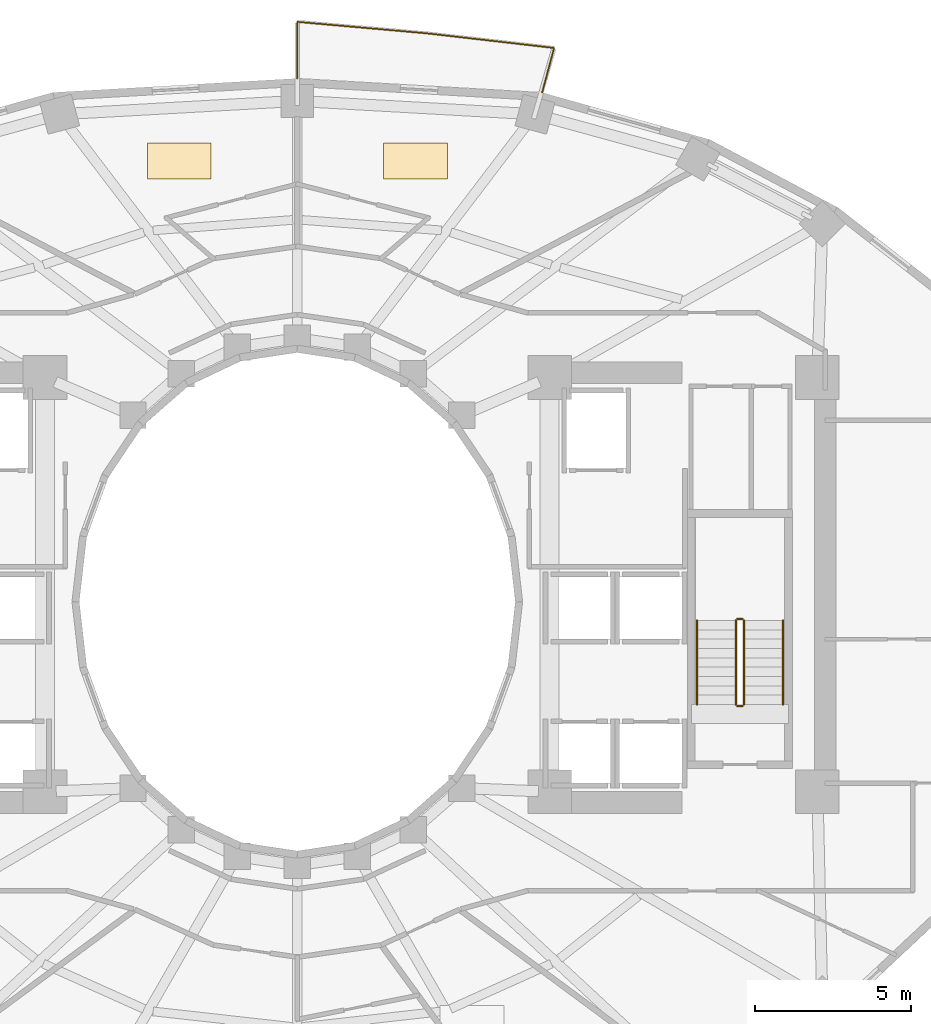
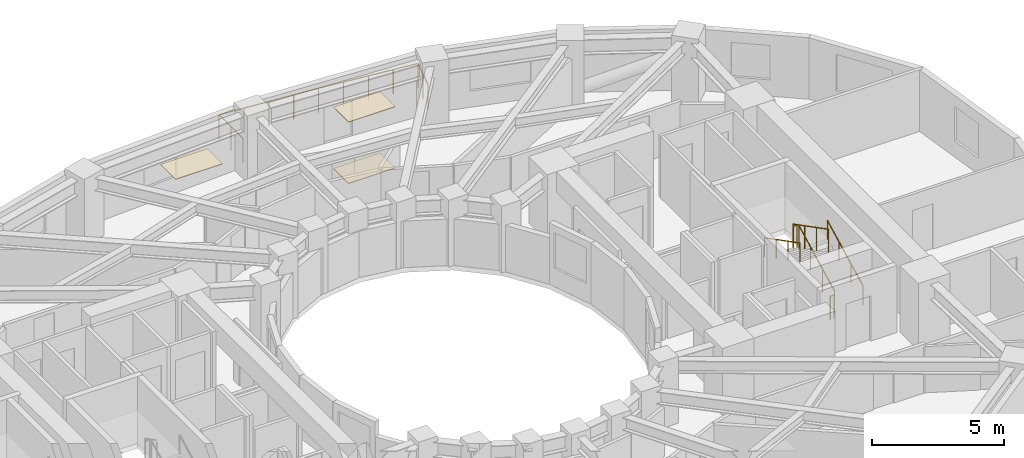
# One storey, part 9 of 9: 7 railings, 3 coverings.
"""IFC4 building model written with IfcOpenShell, lengths in metres."""

from ifc_helpers import new_model, si_unit, direction, frame, origin, origin_2d, place, context, subcontext, project, spatial, polyline, circle, outline, extrude, material, layer, layer_set, type_object, element, save


model = new_model("IFC4")

# Units and contexts
model_context = context("Model", 3, precision=1e-05, world=origin(), true_north=direction((0.0, 1.0)))
body_context = subcontext(model_context, "Body", "Model", "MODEL_VIEW")
ifc_project = project(units=[si_unit("LENGTHUNIT", "METRE"), si_unit("AREAUNIT", "SQUARE_METRE"), si_unit("VOLUMEUNIT", "CUBIC_METRE"), si_unit("PLANEANGLEUNIT", "RADIAN"), si_unit("MASSUNIT", "GRAM", prefix="KILO")], contexts=[model_context])

# Site, building, storey
site_placement = place(None, origin())
site = spatial("IfcSite", under=ifc_project, at=site_placement, CompositionType="ELEMENT")
building_placement = place(site_placement, origin())
building = spatial("IfcBuilding", under=site, at=building_placement, Name="Solvane Sanctuary Tower", CompositionType="ELEMENT")
storey_placement = place(building_placement, frame((0.0, 0.0, 98.0)))
storey = spatial("IfcBuildingStorey", under=building, at=storey_placement, Name="L29", CompositionType="ELEMENT", Elevation=98.0)

# Coverings
ifc_material_1 = material(Name="Acoustic Gypsum Partition Board")
ifc_layer_1 = layer(ifc_material_1, 0.02490234375, Name="Acoustic Gypsum Partition Board")
ifc_layer_set_1 = layer_set([ifc_layer_1], Name="Acoustic Gypsum Partition Board")
covering_type_1 = type_object("IfcCoveringType", Name="Covering CLG-ACOUST", PredefinedType="CEILING", material=ifc_layer_set_1)
covering_1_placement = place(storey_placement, frame((0.0, 0.0, 2.85009765625)))
element("IfcCovering", 1, at=covering_1_placement, inside=storey, type_object=covering_type_1, Name="L29 Unit Acoustic Ceiling Panel 1", PredefinedType="CEILING", context=body_context, shape_type="SweptSolid", body=[
    extrude(outline(polyline([(34.76708984375, 36.575927734375), (36.81689453125, 36.575927734375), (36.81689453125, 37.72607421875), (34.76708984375, 37.72607421875), (34.76708984375, 36.575927734375)])), origin(), (0.0, 0.0, 1.0), 0.02978515625),
])
covering_2_placement = place(storey_placement, frame((0.0, 0.0, 2.85009765625)))
element("IfcCovering", 2, at=covering_2_placement, inside=storey, type_object=covering_type_1, Name="L29 Unit Acoustic Ceiling Panel 2", PredefinedType="CEILING", context=body_context, shape_type="SweptSolid", body=[
    extrude(outline(polyline([(27.18310546875, 36.575927734375), (29.23291015625, 36.575927734375), (29.23291015625, 37.72607421875), (27.18310546875, 37.72607421875), (27.18310546875, 36.575927734375)])), origin(), (0.0, 0.0, 1.0), 0.02978515625),
])
ifc_material_2 = material(Name="Ceramic Tile Finish")
ifc_layer_2 = layer(ifc_material_2, 0.030029296875, Name="Ceramic Tile Finish")
ifc_layer_set_2 = layer_set([ifc_layer_2], Name="Ceramic Tile Finish")
covering_type_2 = type_object("IfcCoveringType", Name="Covering FLR-TERRAZZO", PredefinedType="FLOORING", material=ifc_layer_set_2)
covering_3_placement = place(storey_placement, origin())
element("IfcCovering", 3, at=covering_3_placement, inside=storey, type_object=covering_type_2, Name="L29 Unit Terrazzo Inlay 1", PredefinedType="FLOORING", context=body_context, shape_type="SweptSolid", body=[
    extrude(outline(polyline([(34.76708984375, 36.575927734375), (36.81689453125, 36.575927734375), (36.81689453125, 37.72607421875), (34.76708984375, 37.72607421875), (34.76708984375, 36.575927734375)])), origin(), (0.0, 0.0, 1.0), 0.034912109375),
])

# Railings
ifc_material_3 = material(Name="Architectural Stainless Steel 316", Category="steel")
railing_type_1 = type_object("IfcRailingType", Name="Railing GR-BALC-1150", PredefinedType="BALUSTRADE", material=ifc_material_3)
railing_1_placement = place(storey_placement, frame((39.861328125, 39.347412109375, 0.0)))
element("IfcRailing", 4, at=railing_1_placement, inside=storey, type_object=railing_type_1, Name="L29 Wave Balcony Balustrade NC", PredefinedType="BALUSTRADE", context=body_context, shape_type="SweptSolid", body=[
    extrude(circle(Radius=0.02392578125, at=origin_2d()), frame((0.0, 0.0, 1.1259765625), z_axis=(0.2588814164, 0.965909111792, 0.0), x_axis=(-0.965909111792, 0.2588814164, 0.0)), (0.0, 0.0, 1.0), 1.4833984375),
    extrude(circle(Radius=0.02392578125, at=origin_2d()), frame((0.384033203125, 1.432861328125, 1.1259765625), z_axis=(-0.993474679925, 0.114052883997, 0.0), x_axis=(-0.114052883997, -0.993474679925, 0.0)), (0.0, 0.0, 1.0), 4.12060546875),
    extrude(circle(Radius=0.02392578125, at=origin_2d()), frame((-3.709716796875, 1.90283203125, 1.1259765625), z_axis=(-0.996101288492, 0.088216909172, 0.0), x_axis=(-0.088216909172, -0.996101288492, 0.0)), (0.0, 0.0, 1.0), 4.16796875),
    extrude(circle(Radius=0.02392578125, at=origin_2d()), frame((-7.861328125, 2.2705078125, 1.1259765625), z_axis=(0.0, -1.0, 0.0), x_axis=(1.0, 0.0, 0.0)), (0.0, 0.0, 1.0), 1.81787109375),
    extrude(circle(Radius=0.02099609375, at=origin_2d()), origin(), (0.0, 0.0, 1.0), 1.101806640625),
    extrude(circle(Radius=0.02099609375, at=origin_2d()), frame((0.19189453125, 0.71630859375, 0.0)), (0.0, 0.0, 1.0), 1.101806640625),
    extrude(circle(Radius=0.02099609375, at=origin_2d()), frame((0.384033203125, 1.432861328125, 0.0)), (0.0, 0.0, 1.0), 1.101806640625),
    extrude(circle(Radius=0.02099609375, at=origin_2d()), frame((-0.639404296875, 1.55029296875, 0.0)), (0.0, 0.0, 1.0), 1.101806640625),
    extrude(circle(Radius=0.02099609375, at=origin_2d()), frame((-1.662841796875, 1.66796875, 0.0)), (0.0, 0.0, 1.0), 1.101806640625),
    extrude(circle(Radius=0.02099609375, at=origin_2d()), frame((-2.686279296875, 1.785400390625, 0.0)), (0.0, 0.0, 1.0), 1.101806640625),
    extrude(circle(Radius=0.02099609375, at=origin_2d()), frame((-3.709716796875, 1.90283203125, 0.0)), (0.0, 0.0, 1.0), 1.101806640625),
    extrude(circle(Radius=0.02099609375, at=origin_2d()), frame((-4.74755859375, 1.99462890625, 0.0)), (0.0, 0.0, 1.0), 1.101806640625),
    extrude(circle(Radius=0.02099609375, at=origin_2d()), frame((-5.78564453125, 2.086669921875, 0.0)), (0.0, 0.0, 1.0), 1.101806640625),
    extrude(circle(Radius=0.02099609375, at=origin_2d()), frame((-6.823486328125, 2.1787109375, 0.0)), (0.0, 0.0, 1.0), 1.101806640625),
    extrude(circle(Radius=0.02099609375, at=origin_2d()), frame((-7.861328125, 2.2705078125, 0.0)), (0.0, 0.0, 1.0), 1.101806640625),
    extrude(circle(Radius=0.02099609375, at=origin_2d()), frame((-7.861328125, 1.361572265625, 0.0)), (0.0, 0.0, 1.0), 1.101806640625),
    extrude(circle(Radius=0.02099609375, at=origin_2d()), frame((-7.861328125, 0.45263671875, 0.0)), (0.0, 0.0, 1.0), 1.101806640625),
])
railing_2_placement = place(storey_placement, frame((46.340087890625, 19.699951171875, 0.155029296875)))
element("IfcRailing", 5, at=railing_2_placement, inside=storey, type_object=railing_type_1, Name="L29 ST-2 stair guard 1", PredefinedType="BALUSTRADE", context=body_context, shape_type="SweptSolid", body=[
    extrude(circle(Radius=0.02392578125, at=origin_2d()), frame((0.0, 0.0, 1.076171875), z_axis=(0.0, 0.888419900624, 0.459031676658), x_axis=(-1.0, 0.0, 0.0)), (0.0, 0.0, 1.0), 3.0390625),
    extrude(circle(Radius=0.02099609375, at=origin_2d()), origin(), (0.0, 0.0, 1.0), 1.052001953125),
    extrude(circle(Radius=0.02099609375, at=origin_2d()), frame((0.0, 0.89990234375, 0.465087890625)), (0.0, 0.0, 1.0), 1.052001953125),
    extrude(circle(Radius=0.02099609375, at=origin_2d()), frame((0.0, 1.800048828125, 0.929931640625)), (0.0, 0.0, 1.0), 1.052001953125),
    extrude(circle(Radius=0.02099609375, at=origin_2d()), frame((0.0, 2.699951171875, 1.39501953125)), (0.0, 0.0, 1.0), 1.052001953125),
])
railing_3_placement = place(storey_placement, frame((46.2900390625, 22.449951171875, 1.550048828125)))
element("IfcRailing", 6, at=railing_3_placement, inside=storey, type_object=railing_type_1, Name="L29 ST-2 stair guard 2", PredefinedType="BALUSTRADE", context=body_context, shape_type="SweptSolid", body=[
    extrude(circle(Radius=0.02392578125, at=origin_2d()), frame((0.0, 0.0, 1.076171875), z_axis=(-1.0, 0.0, 0.0), x_axis=(0.0, -1.0, 0.0)), (0.0, 0.0, 1.0), 0.16015625),
    extrude(circle(Radius=0.02099609375, at=origin_2d()), origin(), (0.0, 0.0, 1.0), 1.052001953125),
    extrude(circle(Radius=0.02099609375, at=origin_2d()), frame((-0.16015625, 0.0, 0.0)), (0.0, 0.0, 1.0), 1.052001953125),
])
railing_4_placement = place(storey_placement, frame((46.080078125, 22.39990234375, 1.705078125)))
element("IfcRailing", 7, at=railing_4_placement, inside=storey, type_object=railing_type_1, Name="L29 ST-2 stair guard 3", PredefinedType="BALUSTRADE", context=body_context, shape_type="SweptSolid", body=[
    extrude(circle(Radius=0.02392578125, at=origin_2d()), frame((0.0, 0.0, 1.076171875), z_axis=(0.0, -0.888419900624, 0.459031676658), x_axis=(1.0, 0.0, 0.0)), (0.0, 0.0, 1.0), 3.0390625),
    extrude(circle(Radius=0.02099609375, at=origin_2d()), origin(), (0.0, 0.0, 1.0), 1.052001953125),
    extrude(circle(Radius=0.02099609375, at=origin_2d()), frame((0.0, -0.89990234375, 0.465087890625)), (0.0, 0.0, 1.0), 1.052001953125),
    extrude(circle(Radius=0.02099609375, at=origin_2d()), frame((0.0, -1.800048828125, 0.929931640625)), (0.0, 0.0, 1.0), 1.052001953125),
    extrude(circle(Radius=0.02099609375, at=origin_2d()), frame((0.0, -2.699951171875, 1.39501953125)), (0.0, 0.0, 1.0), 1.052001953125),
])
railing_5_placement = place(storey_placement, frame((46.2900390625, 19.64990234375, 0.0)))
element("IfcRailing", 8, at=railing_5_placement, inside=storey, type_object=railing_type_1, Name="L29 ST-2 stair guard 4", PredefinedType="BALUSTRADE", context=body_context, shape_type="SweptSolid", body=[
    extrude(circle(Radius=0.02392578125, at=origin_2d()), frame((0.0, 0.0, 1.076171875), z_axis=(-1.0, 0.0, 0.0), x_axis=(0.0, -1.0, 0.0)), (0.0, 0.0, 1.0), 0.16015625),
    extrude(circle(Radius=0.02099609375, at=origin_2d()), origin(), (0.0, 0.0, 1.0), 1.052001953125),
    extrude(circle(Radius=0.02099609375, at=origin_2d()), frame((-0.16015625, 0.0, 0.0)), (0.0, 0.0, 1.0), 1.052001953125),
])
railing_type_2 = type_object("IfcRailingType", Name="Railing HR-STAIR-920", PredefinedType="HANDRAIL", material=ifc_material_3)
railing_6_placement = place(storey_placement, frame((47.590087890625, 19.699951171875, 0.155029296875)))
element("IfcRailing", 9, at=railing_6_placement, inside=storey, type_object=railing_type_2, Name="L29 ST-2 stair handrail 1", PredefinedType="HANDRAIL", context=body_context, shape_type="SweptSolid", body=[
    extrude(circle(Radius=0.02392578125, at=origin_2d()), frame((0.0, 0.0, 0.8759765625), z_axis=(0.0, 0.888419900624, 0.459031676658), x_axis=(-1.0, 0.0, 0.0)), (0.0, 0.0, 1.0), 3.0390625),
    extrude(circle(Radius=0.02099609375, at=origin_2d()), origin(), (0.0, 0.0, 1.0), 0.851806640625),
    extrude(circle(Radius=0.02099609375, at=origin_2d()), frame((0.0, 0.89990234375, 0.465087890625)), (0.0, 0.0, 1.0), 0.851806640625),
    extrude(circle(Radius=0.02099609375, at=origin_2d()), frame((0.0, 1.800048828125, 0.929931640625)), (0.0, 0.0, 1.0), 0.851806640625),
    extrude(circle(Radius=0.02099609375, at=origin_2d()), frame((0.0, 2.699951171875, 1.39501953125)), (0.0, 0.0, 1.0), 0.851806640625),
])
railing_7_placement = place(storey_placement, frame((44.830078125, 22.39990234375, 1.705078125)))
element("IfcRailing", 10, at=railing_7_placement, inside=storey, type_object=railing_type_2, Name="L29 ST-2 stair handrail 2", PredefinedType="HANDRAIL", context=body_context, shape_type="SweptSolid", body=[
    extrude(circle(Radius=0.02392578125, at=origin_2d()), frame((0.0, 0.0, 0.8759765625), z_axis=(0.0, -0.888419900624, 0.459031676658), x_axis=(1.0, 0.0, 0.0)), (0.0, 0.0, 1.0), 3.0390625),
    extrude(circle(Radius=0.02099609375, at=origin_2d()), origin(), (0.0, 0.0, 1.0), 0.851806640625),
    extrude(circle(Radius=0.02099609375, at=origin_2d()), frame((0.0, -0.89990234375, 0.465087890625)), (0.0, 0.0, 1.0), 0.851806640625),
    extrude(circle(Radius=0.02099609375, at=origin_2d()), frame((0.0, -1.800048828125, 0.929931640625)), (0.0, 0.0, 1.0), 0.851806640625),
    extrude(circle(Radius=0.02099609375, at=origin_2d()), frame((0.0, -2.699951171875, 1.39501953125)), (0.0, 0.0, 1.0), 0.851806640625),
])

save(model, "model.ifc")
